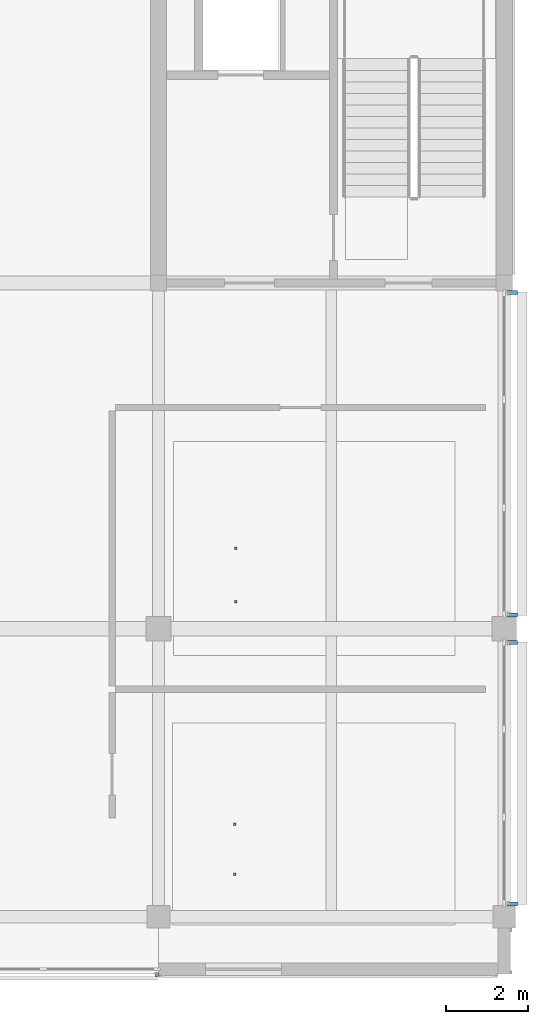
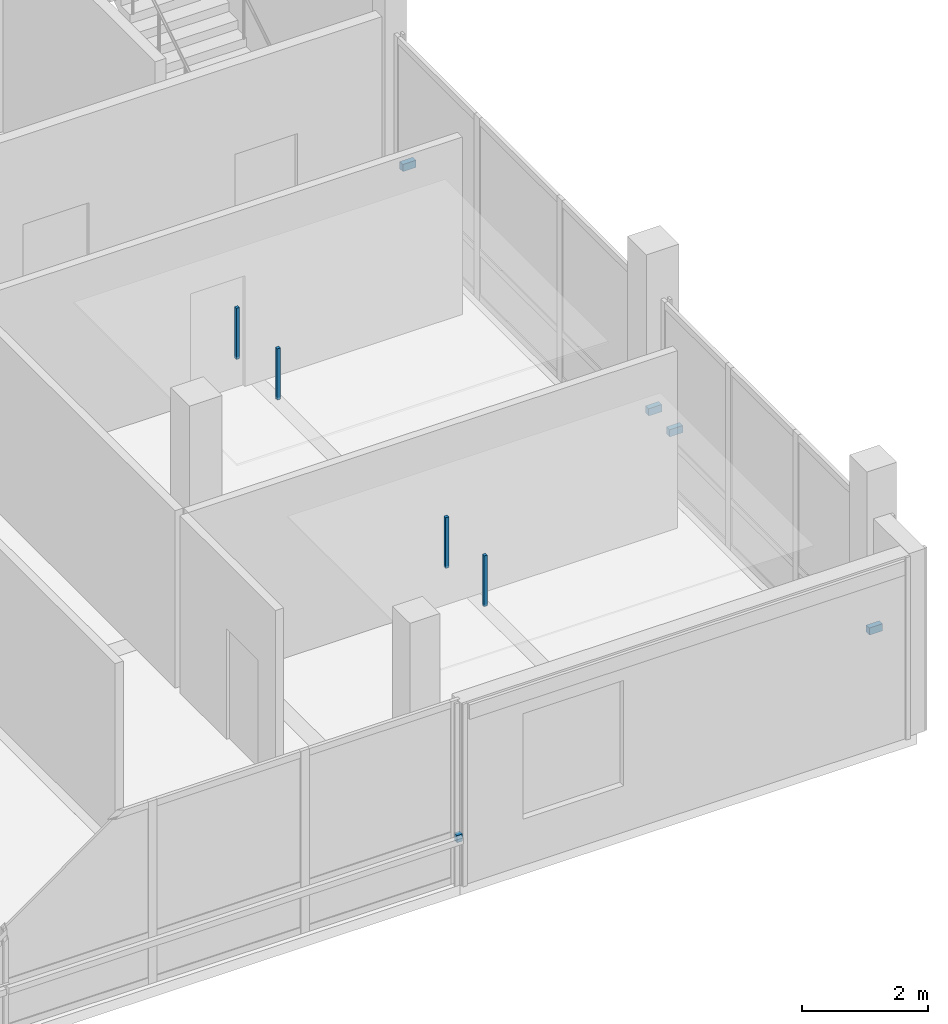
# One storey, part 13 of 25: 9 discrete accessories.
"""IFC4 building model written with IfcOpenShell, lengths in metres."""

import ifcopenshell
import ifcopenshell.guid

model = None  # the IFC model being written
_history = None  # IfcOwnerHistory: only IFC2X3 demands one
_inside = {}  # id of a spatial element -> (the spatial element, [elements in it])
_under = {}  # id of a project, library or spatial element -> (it, [spatial elements below it])
_declared = {}  # id of a project -> (the project, [libraries it declares])
_typed = {}  # id of a type object -> (the type object, [elements of that type])
_made_of = {}  # id of a material, layer set ... -> (it, [elements and type objects made of it])


def new_model(schema):
    """Start an empty IFC model of exactly this schema.

    Asked for "IFC4X3", IfcOpenShell would pick the latest addendum, in which some entities
    have other attributes; the version numbers below select the first issue.
    IFC2X3 requires an IfcOwnerHistory on every rooted entity: one is made here for all.
    """
    global model, _history
    if schema == "IFC4X3":
        model = ifcopenshell.file(schema_version=(4, 3, 0, 0))
    else:
        model = ifcopenshell.file(schema=schema)
    _inside.clear()
    _under.clear()
    _declared.clear()
    _typed.clear()
    _made_of.clear()
    _history = None
    if model.schema == "IFC2X3":
        org = make("IfcOrganization", Name="unknown")
        user = make(
            "IfcPersonAndOrganization",
            ThePerson=make("IfcPerson", FamilyName="unknown"),
            TheOrganization=org,
        )
        app = make(
            "IfcApplication",
            ApplicationDeveloper=org,
            Version="unknown",
            ApplicationFullName="unknown",
            ApplicationIdentifier="unknown",
        )
        _history = make(
            "IfcOwnerHistory",
            OwningUser=user,
            OwningApplication=app,
            ChangeAction="ADDED",
            CreationDate=0,
        )
    return model


def make(cls, **values):
    """One entity of the class cls with the attributes given. An attribute that is None is left unset."""
    return model.create_entity(
        cls, **{name: value for name, value in values.items() if value is not None}
    )


def rooted(cls, **values):
    """An entity with a GlobalId (a new one), such as an element, a storey or a relation."""
    return make(cls, GlobalId=ifcopenshell.guid.new(), OwnerHistory=_history, **values)


def si_unit(unit_type, name, prefix=None):
    """IfcSIUnit, for example si_unit("LENGTHUNIT", "METRE", prefix="MILLI")."""
    return make("IfcSIUnit", UnitType=unit_type, Prefix=prefix, Name=name)


def assignment(units):
    """IfcUnitAssignment: the units of a project."""
    return None if units is None else make("IfcUnitAssignment", Units=units)


def point(xyz):
    """IfcCartesianPoint."""
    return None if xyz is None else make("IfcCartesianPoint", Coordinates=xyz)


def direction(xyz):
    """IfcDirection."""
    return None if xyz is None else make("IfcDirection", DirectionRatios=xyz)


def frame(location, z_axis=None, x_axis=None):
    """IfcAxis2Placement3D, a coordinate frame: its origin and axes. An axis left out is left unset."""
    return make(
        "IfcAxis2Placement3D",
        Location=point(location),
        Axis=direction(z_axis),
        RefDirection=direction(x_axis),
    )


def frame_2d(location, x_axis=None):
    """IfcAxis2Placement2D, a coordinate frame in the plane: its origin and x axis."""
    return make(
        "IfcAxis2Placement2D", Location=point(location), RefDirection=direction(x_axis)
    )


def origin():
    """The frame at (0, 0, 0) with its axes left unset."""
    return frame((0.0, 0.0, 0.0))


def origin_2d():
    """The frame at (0, 0) in the plane with its x axis left unset."""
    return frame_2d((0.0, 0.0))


def place(relative_to, where):
    """IfcLocalPlacement: puts the frame where relative to a parent placement (None: the world)."""
    return make(
        "IfcLocalPlacement", PlacementRelTo=relative_to, RelativePlacement=where
    )


def context(
    kind, dimensions, precision=None, world=None, true_north=None, identifier=None
):
    """IfcGeometricRepresentationContext, for example the 3D "Model" context."""
    return make(
        "IfcGeometricRepresentationContext",
        ContextIdentifier=identifier,
        ContextType=kind,
        CoordinateSpaceDimension=dimensions,
        Precision=precision,
        WorldCoordinateSystem=world,
        TrueNorth=true_north,
    )


def subcontext(parent, identifier, kind, view, scale=None):
    """IfcGeometricRepresentationSubContext, for example "Body" below "Model"."""
    return make(
        "IfcGeometricRepresentationSubContext",
        ContextIdentifier=identifier,
        ContextType=kind,
        ParentContext=parent,
        TargetScale=scale,
        TargetView=view,
    )


def project(units=None, contexts=None):
    """IfcProject with its units and contexts."""
    return rooted(
        "IfcProject",
        Name="project",
        RepresentationContexts=contexts,
        UnitsInContext=assignment(units),
    )


def spatial(cls, under=None, at=None, **own):
    """A site, building, storey or space (cls), placed at a placement, below another one or the project."""
    s = rooted(cls, ObjectPlacement=at, **own)
    if under is not None:
        _under.setdefault(under.id(), (under, []))[1].append(s)
    return s


def profile(cls, at=None, kind="AREA", **sizes):
    """A parametric profile (cls). Its sizes go by their IFC names, for example OverallWidth=200.0."""
    return make(cls, ProfileType=kind, Position=at, **sizes)


def rectangle(**sizes):
    """IfcRectangleProfileDef."""
    return profile("IfcRectangleProfileDef", **sizes)


def extrude(swept, where, along, depth):
    """IfcExtrudedAreaSolid: the profile swept, set in the frame where, extruded along a direction by depth."""
    return make(
        "IfcExtrudedAreaSolid",
        SweptArea=swept,
        Position=where,
        ExtrudedDirection=direction(along),
        Depth=depth,
    )


def shape(context_of_items, identifier, shape_type, items):
    """IfcShapeRepresentation: the items that make up one representation, for example the "Body"."""
    return make(
        "IfcShapeRepresentation",
        ContextOfItems=context_of_items,
        RepresentationIdentifier=identifier,
        RepresentationType=shape_type,
        Items=items,
    )


def material(Name=None, Category=None):
    """IfcMaterial."""
    return make("IfcMaterial", Name=Name, Category=Category)


def made_of(thing, what):
    """Note that an element or type object is made of a material, layer set ...; save() writes the relation."""
    if what is not None:
        _made_of.setdefault(what.id(), (what, []))[1].append(thing)
    return thing


def type_object(cls, material=None, **own):
    """A type object (cls), such as IfcWallType, which elements share."""
    return made_of(rooted(cls, **own), material)


def element(
    cls,
    number,
    at=None,
    inside=None,
    cuts=None,
    type_object=None,
    material=None,
    context=None,
    identifier="Body",
    shape_type=None,
    held_by="IfcProductDefinitionShape",
    body=None,
    shapes=None,
    **own,
):
    """One element of the class cls, such as IfcWall. Its Tag is "e" and its number.

    at: its placement. inside: the storey or other place that contains it. cuts: it is an
    opening in that element (IfcRelVoidsElement). A single representation is given by context,
    identifier, shape_type and body (its items); several are given by shapes. held_by: the class
    of the entity that holds the representations. save() writes the other relations.
    """
    e = rooted(cls, Tag="e%d" % number, ObjectPlacement=at, **own)
    if body is not None:
        shapes = [shape(context, identifier, shape_type, body)]
    if shapes is not None:
        e.Representation = make(held_by, Representations=shapes)
    if inside is not None:
        _inside.setdefault(inside.id(), (inside, []))[1].append(e)
    if cuts is not None:
        rooted(
            "IfcRelVoidsElement", RelatingBuildingElement=cuts, RelatedOpeningElement=e
        )
    if type_object is not None:
        _typed.setdefault(type_object.id(), (type_object, []))[1].append(e)
    return made_of(e, material)


def aggregate(whole, parts):
    """IfcRelAggregates: a whole, such as a stair, and the parts it consists of."""
    return rooted("IfcRelAggregates", RelatingObject=whole, RelatedObjects=parts)


def save(model, path):
    """Write the relations noted so far, then the file.

    IfcRelAggregates (storeys below a building ...), IfcRelContainedInSpatialStructure (elements
    in a storey), IfcRelDefinesByType, IfcRelAssociatesMaterial and IfcRelDeclares: one each for
    every whole, place, type object, material and project.
    """
    for whole, parts in _under.values():
        aggregate(whole, parts)
    for where, things in _inside.values():
        rooted(
            "IfcRelContainedInSpatialStructure",
            RelatedElements=things,
            RelatingStructure=where,
        )
    for kind, things in _typed.values():
        rooted("IfcRelDefinesByType", RelatedObjects=things, RelatingType=kind)
    for what, things in _made_of.values():
        rooted("IfcRelAssociatesMaterial", RelatedObjects=things, RelatingMaterial=what)
    for by, libraries in _declared.values():
        rooted("IfcRelDeclares", RelatingContext=by, RelatedDefinitions=libraries)
    model.write(path)


model = new_model("IFC4")

# Units and contexts
model_context = context("Model", 3, precision=1e-05, world=origin(), true_north=direction((0.0, 1.0)))
body_context = subcontext(model_context, "Body", "Model", "MODEL_VIEW")
ifc_project = project(units=[si_unit("LENGTHUNIT", "METRE"), si_unit("AREAUNIT", "SQUARE_METRE"), si_unit("VOLUMEUNIT", "CUBIC_METRE"), si_unit("PLANEANGLEUNIT", "RADIAN"), si_unit("MASSUNIT", "GRAM", prefix="KILO")], contexts=[model_context])

# Site, building, storey
site_placement = place(None, origin())
site = spatial("IfcSite", under=ifc_project, at=site_placement, CompositionType="ELEMENT")
building_placement = place(site_placement, origin())
building = spatial("IfcBuilding", under=site, at=building_placement, Name="Telukmera Botanical Conservatory", CompositionType="ELEMENT")
storey_placement = place(building_placement, frame((0.0, 0.0, 64.5)))
storey = spatial("IfcBuildingStorey", under=building, at=storey_placement, Name="L14", CompositionType="ELEMENT", Elevation=64.5)

# Discrete accessories
ifc_material = material(Name="Steel S355", Category="steel")
discrete_accessory_type_1 = type_object("IfcDiscreteAccessoryType", Name="ACC-CEIL-HGR", PredefinedType="BRACKET", material=ifc_material)
for number, where, z_axis, x_axis, name in (
    (1, (94.272705078125, 18.25, 3.31005859375), (0.0, 0.0, 1.0), (1.0, 0.0, 0.0), "L14 Suspended Ceiling Hanger Rod 026-1"),
    (2, (94.272705078125, 19.550048828125, 3.31005859375), (0.0, 0.0, 1.0), (1.0, 0.0, 0.0), "L14 Suspended Ceiling Hanger Rod 026-2"),
):
    element("IfcDiscreteAccessory", number, at=place(storey_placement, frame(where, z_axis=z_axis, x_axis=x_axis)), inside=storey, type_object=discrete_accessory_type_1, Name=name, PredefinedType="BRACKET", context=body_context, shape_type="SweptSolid", body=[
        extrude(rectangle(XDim=0.06005859375, YDim=0.06005859375, at=origin_2d()), origin(), (0.0, 0.0, 1.0), 0.9951171875),
    ])
for number, where, z_axis, x_axis, name in (
    (3, (94.253173828125, 11.625, 3.31982421875), (0.0, 0.0, 1.0), (1.0, 0.0, 0.0), "L14 Suspended Ceiling Hanger Rod 027-1"),
    (4, (94.253173828125, 12.85009765625, 3.31982421875), (0.0, 0.0, 1.0), (1.0, 0.0, 0.0), "L14 Suspended Ceiling Hanger Rod 027-2"),
):
    element("IfcDiscreteAccessory", number, at=place(storey_placement, frame(where, z_axis=z_axis, x_axis=x_axis)), inside=storey, type_object=discrete_accessory_type_1, Name=name, PredefinedType="BRACKET", context=body_context, shape_type="SweptSolid", body=[
        extrude(rectangle(XDim=0.06005859375, YDim=0.06005859375, at=origin_2d()), origin(), (0.0, 0.0, 1.0), 0.985107421875),
    ])
discrete_accessory_type_2 = type_object("IfcDiscreteAccessoryType", Name="Structural Steel Facade Outrigger Fin Bracket", PredefinedType="BRACKET", material=ifc_material)
discrete_accessory_placement = place(storey_placement, frame((92.365478515625, 9.195068359375, 0.8798828125), z_axis=(0.0, 0.0, 1.0), x_axis=(1.0, 0.0, 0.0)))
element("IfcDiscreteAccessory", 5, at=discrete_accessory_placement, inside=storey, type_object=discrete_accessory_type_2, Name="Facade Outrigger Bracket V4:L14:S4 B", PredefinedType="BRACKET", context=body_context, shape_type="SweptSolid", body=[
    extrude(rectangle(XDim=0.10009765625, YDim=0.090087890625, at=origin_2d()), origin(), (0.0, 0.0, 1.0), 0.139892578125),
])
for number, where, z_axis, x_axis, name in (
    (6, (101.0, 10.909423828125, 0.8798828125), (0.0, 0.0, 1.0), (0.0, 1.0, 0.0), "Facade Outrigger Bracket V4:L14:E1 A"),
    (7, (101.0, 17.265380859375, 0.8798828125), (0.0, 0.0, 1.0), (0.0, 1.0, 0.0), "Facade Outrigger Bracket V4:L14:E1 B"),
    (8, (101.0, 17.9345703125, 0.8798828125), (0.0, 0.0, 1.0), (0.0, 1.0, 0.0), "Facade Outrigger Bracket V4:L14:E2 A"),
    (9, (101.0, 25.765380859375, 0.8798828125), (0.0, 0.0, 1.0), (0.0, 1.0, 0.0), "Facade Outrigger Bracket V4:L14:E2 B"),
):
    element("IfcDiscreteAccessory", number, at=place(storey_placement, frame(where, z_axis=z_axis, x_axis=x_axis)), inside=storey, type_object=discrete_accessory_type_2, Name=name, PredefinedType="BRACKET", context=body_context, shape_type="SweptSolid", body=[
        extrude(rectangle(XDim=0.10009765625, YDim=0.239990234375, at=origin_2d()), origin(), (0.0, 0.0, 1.0), 0.139892578125),
    ])

save(model, "model.ifc")
